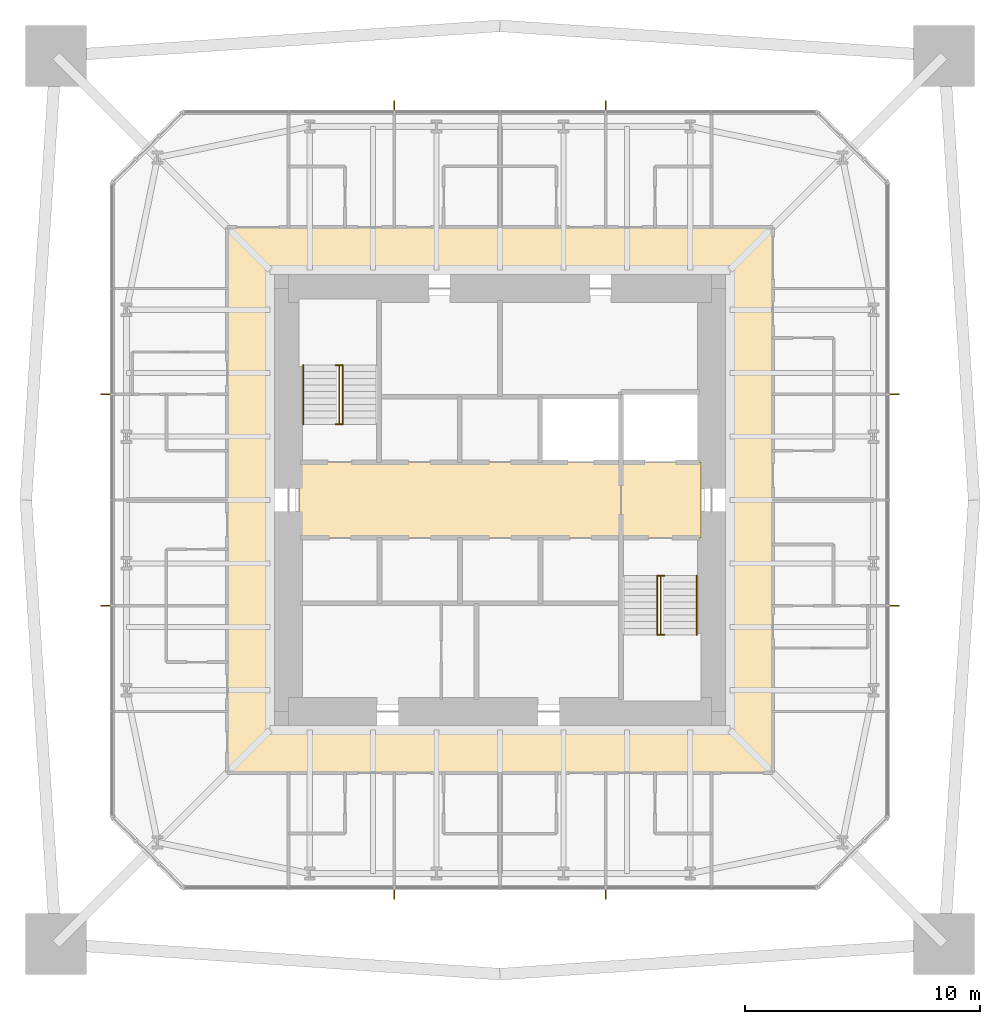
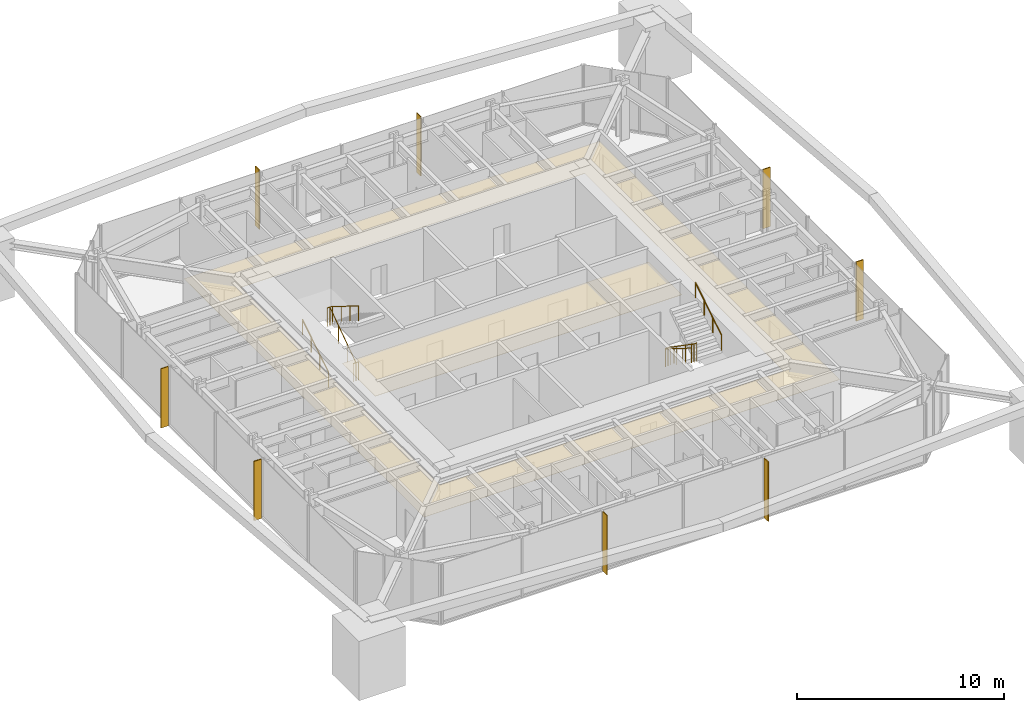
# One storey, part 11 of 11: 8 shading devices, 6 railings, 3 coverings.
"""IFC4 building model written with IfcOpenShell, lengths in metres."""

from ifc_helpers import new_model, si_unit, direction, frame, origin, origin_2d, place, context, subcontext, project, spatial, polyline, rectangle, circle, outline, extrude, material, layer, layer_set, constituent, constituent_set, type_object, element, save


model = new_model("IFC4")

# Units and contexts
model_context = context("Model", 3, precision=1e-05, world=origin(), true_north=direction((0.0, 1.0)))
body_context = subcontext(model_context, "Body", "Model", "MODEL_VIEW")
ifc_project = project(units=[si_unit("LENGTHUNIT", "METRE"), si_unit("AREAUNIT", "SQUARE_METRE"), si_unit("VOLUMEUNIT", "CUBIC_METRE"), si_unit("PLANEANGLEUNIT", "RADIAN"), si_unit("MASSUNIT", "GRAM", prefix="KILO")], contexts=[model_context])

# Site, building, storey
site_placement = place(None, origin())
site = spatial("IfcSite", under=ifc_project, at=site_placement, CompositionType="ELEMENT")
building_placement = place(site_placement, origin())
building = spatial("IfcBuilding", under=site, at=building_placement, Name="Iwan Alto Co-Living Towers", CompositionType="ELEMENT")
storey_placement = place(building_placement, frame((0.0, 0.0, 222.0)))
storey = spatial("IfcBuildingStorey", under=building, at=storey_placement, Name="L60", CompositionType="ELEMENT", Elevation=222.0)

# Coverings
ifc_material_1 = material(Name="Mineral fibre acoustic tiles on steel grid", Category="steel")
ifc_layer_1 = layer(ifc_material_1, 0.02001953125)
ifc_layer_set_1 = layer_set([ifc_layer_1], Name="ACOUSTIC TILE CEILING 20")
covering_type_1 = type_object("IfcCoveringType", Name="ACOUSTIC TILE CEILING 20", PredefinedType="CEILING", material=ifc_layer_set_1)
covering_1_placement = place(storey_placement, frame((0.0, 0.0, 2.60009765625)))
element("IfcCovering", 1, at=covering_1_placement, inside=storey, type_object=covering_type_1, Name="Ceiling Lift lobby L60", PredefinedType="CEILING", context=body_context, shape_type="SweptSolid", body=[
    extrude(outline(polyline([(-8.550048828125, -1.60009765625), (-8.550048828125, 1.60009765625), (5.14990234375, 1.60009765625), (5.14990234375, -1.60009765625), (-8.550048828125, -1.60009765625)])), origin(), (0.0, 0.0, 1.0), 0.02001953125),
])
covering_2_placement = place(storey_placement, frame((0.0, 0.0, 2.60009765625)))
element("IfcCovering", 2, at=covering_2_placement, inside=storey, type_object=covering_type_1, Name="Ceiling Firefighting lobby L60", PredefinedType="CEILING", context=body_context, shape_type="SweptSolid", body=[
    extrude(outline(polyline([(5.14990234375, -1.60009765625), (5.14990234375, 1.60009765625), (8.550048828125, 1.60009765625), (8.550048828125, -1.60009765625), (5.14990234375, -1.60009765625)])), origin(), (0.0, 0.0, 1.0), 0.02001953125),
])

# Shading devices
ifc_material_2 = material(Name="Aluminium 6063-T6 bronze anodised", Category="aluminium")
ifc_layer_2 = layer(ifc_material_2, 0.050048828125)
ifc_layer_set_2 = layer_set([ifc_layer_2], Name="BRONZE FIN 50X400")
shading_device_type = type_object("IfcShadingDeviceType", Name="BRONZE FIN 50X400", PredefinedType="USERDEFINED", material=ifc_layer_set_2)
for number, where, z_axis, x_axis, name in (
    (3, (-4.5, -16.800048828125, 0.0), (0.0, 0.0, 1.0), (1.0, 0.0, 0.0), "Bronze fin L60"),
    (4, (4.5, -16.800048828125, 0.0), (0.0, 0.0, 1.0), (1.0, 0.0, 0.0), "Bronze fin L60"),
    (5, (16.800048828125, -4.5, 0.0), (0.0, 0.0, 1.0), (0.0, 1.0, 0.0), "Bronze fin L60"),
    (6, (16.800048828125, 4.5, 0.0), (0.0, 0.0, 1.0), (0.0, 1.0, 0.0), "Bronze fin L60"),
    (7, (4.5, 16.800048828125, 0.0), (0.0, 0.0, 1.0), (-1.0, 0.0, 0.0), "Bronze fin L60"),
    (8, (-4.5, 16.800048828125, 0.0), (0.0, 0.0, 1.0), (-1.0, 0.0, 0.0), "Bronze fin L60"),
    (9, (-16.800048828125, 4.5, 0.0), (0.0, 0.0, 1.0), (0.0, -1.0, 0.0), "Bronze fin L60"),
    (10, (-16.800048828125, -4.5, 0.0), (0.0, 0.0, 1.0), (0.0, -1.0, 0.0), "Bronze fin L60"),
):
    element("IfcShadingDevice", number, at=place(storey_placement, frame(where, z_axis=z_axis, x_axis=x_axis)), inside=storey, type_object=shading_device_type, Name=name, ObjectType="LOUVER", PredefinedType="USERDEFINED", context=body_context, shape_type="SweptSolid", body=[
        extrude(rectangle(XDim=0.050048828125, YDim=0.39990234375, at=origin_2d()), origin(), (0.0, 0.0, 1.0), 3.5),
    ])

# Railings
ifc_material_3 = material(Name="Steel ASTM A500 Gr C", Category="steel")
ifc_constituent_1 = constituent(ifc_material_3, Name="Rails and posts", Category="Framing")
ifc_material_4 = material(Name="Steel ASTM A36", Category="steel")
ifc_constituent_2 = constituent(ifc_material_4, Name="Bar infill", Category="Infill")
ifc_constituent_set = constituent_set(constituents=[ifc_constituent_1, ifc_constituent_2], Name="STAIR GUARD 1100")
railing_type_1 = type_object("IfcRailingType", Name="STAIR GUARD 1100", PredefinedType="GUARDRAIL", material=ifc_constituent_set)
railing_1_placement = place(storey_placement, frame((-6.85009765625, 3.219970703125, 0.0)))
element("IfcRailing", 11, at=railing_1_placement, inside=storey, type_object=railing_type_1, Name="Stair T1-S1 well guard L60", PredefinedType="GUARDRAIL", context=body_context, shape_type="SweptSolid", body=[
    extrude(circle(Radius=0.02392578125, at=origin_2d()), frame((0.0, 0.0, 1.076171875), z_axis=(0.0, 0.821372036852, 0.570392826987), x_axis=(-1.0, 0.0, 0.0)), (0.0, 0.0, 1.0), 3.068115234375),
    extrude(circle(Radius=0.02392578125, at=origin_2d()), frame((-0.14990234375, 0.0, 1.076171875), z_axis=(1.0, 0.0, 0.0), x_axis=(0.0, 1.0, 0.0)), (0.0, 0.0, 1.0), 0.300048828125),
    extrude(circle(Radius=0.02392578125, at=origin_2d()), frame((-0.14990234375, 2.52001953125, 2.826171875), z_axis=(1.0, 0.0, 0.0), x_axis=(0.0, 1.0, 0.0)), (0.0, 0.0, 1.0), 0.300048828125),
    extrude(circle(Radius=0.02099609375, at=origin_2d()), origin(), (0.0, 0.0, 1.0), 1.052001953125),
    extrude(circle(Radius=0.02099609375, at=origin_2d()), frame((0.0, 0.840087890625, 0.583251953125)), (0.0, 0.0, 1.0), 1.052001953125),
    extrude(circle(Radius=0.02099609375, at=origin_2d()), frame((0.0, 1.679931640625, 1.166748046875)), (0.0, 0.0, 1.0), 1.052001953125),
    extrude(circle(Radius=0.02099609375, at=origin_2d()), frame((0.0, 2.52001953125, 1.75)), (0.0, 0.0, 1.0), 1.052001953125),
    extrude(circle(Radius=0.02099609375, at=origin_2d()), frame((-0.14990234375, 0.0, 0.0)), (0.0, 0.0, 1.0), 1.052001953125),
    extrude(circle(Radius=0.02099609375, at=origin_2d()), frame((0.150146484375, 0.0, 0.0)), (0.0, 0.0, 1.0), 1.052001953125),
    extrude(circle(Radius=0.02099609375, at=origin_2d()), frame((-0.14990234375, 2.52001953125, 1.75)), (0.0, 0.0, 1.0), 1.052001953125),
    extrude(circle(Radius=0.02099609375, at=origin_2d()), frame((0.150146484375, 2.52001953125, 1.75)), (0.0, 0.0, 1.0), 1.052001953125),
])
railing_2_placement = place(storey_placement, frame((6.85009765625, -3.219970703125, 0.0)))
element("IfcRailing", 12, at=railing_2_placement, inside=storey, type_object=railing_type_1, Name="Stair T1-S2 well guard L60", PredefinedType="GUARDRAIL", context=body_context, shape_type="SweptSolid", body=[
    extrude(circle(Radius=0.02392578125, at=origin_2d()), frame((0.0, 0.0, 1.076171875), z_axis=(0.0, -0.821372036852, 0.570392826987), x_axis=(1.0, 0.0, 0.0)), (0.0, 0.0, 1.0), 3.068115234375),
    extrude(circle(Radius=0.02392578125, at=origin_2d()), frame((-0.150146484375, 0.0, 1.076171875), z_axis=(1.0, 0.0, 0.0), x_axis=(0.0, 1.0, 0.0)), (0.0, 0.0, 1.0), 0.300048828125),
    extrude(circle(Radius=0.02392578125, at=origin_2d()), frame((-0.150146484375, -2.52001953125, 2.826171875), z_axis=(1.0, 0.0, 0.0), x_axis=(0.0, 1.0, 0.0)), (0.0, 0.0, 1.0), 0.300048828125),
    extrude(circle(Radius=0.02099609375, at=origin_2d()), origin(), (0.0, 0.0, 1.0), 1.052001953125),
    extrude(circle(Radius=0.02099609375, at=origin_2d()), frame((0.0, -0.840087890625, 0.583251953125)), (0.0, 0.0, 1.0), 1.052001953125),
    extrude(circle(Radius=0.02099609375, at=origin_2d()), frame((0.0, -1.679931640625, 1.166748046875)), (0.0, 0.0, 1.0), 1.052001953125),
    extrude(circle(Radius=0.02099609375, at=origin_2d()), frame((0.0, -2.52001953125, 1.75)), (0.0, 0.0, 1.0), 1.052001953125),
    extrude(circle(Radius=0.02099609375, at=origin_2d()), frame((-0.150146484375, 0.0, 0.0)), (0.0, 0.0, 1.0), 1.052001953125),
    extrude(circle(Radius=0.02099609375, at=origin_2d()), frame((0.14990234375, 0.0, 0.0)), (0.0, 0.0, 1.0), 1.052001953125),
    extrude(circle(Radius=0.02099609375, at=origin_2d()), frame((-0.150146484375, -2.52001953125, 1.75)), (0.0, 0.0, 1.0), 1.052001953125),
    extrude(circle(Radius=0.02099609375, at=origin_2d()), frame((0.14990234375, -2.52001953125, 1.75)), (0.0, 0.0, 1.0), 1.052001953125),
])
ifc_material_5 = material(Name="Steel ASTM A500 Gr C", Category="steel")
railing_type_2 = type_object("IfcRailingType", Name="STAIR HANDRAIL 900", PredefinedType="HANDRAIL", material=ifc_material_5)
railing_3_placement = place(storey_placement, frame((-8.3798828125, 3.219970703125, 0.175048828125)))
element("IfcRailing", 13, at=railing_3_placement, inside=storey, type_object=railing_type_2, Name="Stair T1-S1 handrail 1 L60", PredefinedType="HANDRAIL", context=body_context, shape_type="SweptSolid", body=[
    extrude(circle(Radius=0.02392578125, at=origin_2d()), frame((0.0, 0.0, 0.8759765625), z_axis=(0.0, 0.848007534815, 0.529984170421), x_axis=(-1.0, 0.0, 0.0)), (0.0, 0.0, 1.0), 2.9716796875),
    extrude(circle(Radius=0.02099609375, at=origin_2d()), origin(), (0.0, 0.0, 1.0), 0.851806640625),
    extrude(circle(Radius=0.02099609375, at=origin_2d()), frame((0.0, 0.840087890625, 0.52490234375)), (0.0, 0.0, 1.0), 0.851806640625),
    extrude(circle(Radius=0.02099609375, at=origin_2d()), frame((0.0, 1.679931640625, 1.050048828125)), (0.0, 0.0, 1.0), 0.851806640625),
    extrude(circle(Radius=0.02099609375, at=origin_2d()), frame((0.0, 2.52001953125, 1.574951171875)), (0.0, 0.0, 1.0), 0.851806640625),
])
for number, where, name in (
    (14, (-6.699951171875, 5.739990234375, 1.925048828125), "Stair T1-S1 handrail 2 L60"),
    (15, (6.699951171875, -3.219970703125, 0.175048828125), "Stair T1-S2 handrail 1 L60"),
):
    element("IfcRailing", number, at=place(storey_placement, frame(where)), inside=storey, type_object=railing_type_2, Name=name, PredefinedType="HANDRAIL", context=body_context, shape_type="SweptSolid", body=[
        extrude(circle(Radius=0.02392578125, at=origin_2d()), frame((0.0, 0.0, 0.8759765625), z_axis=(0.0, -0.848007534815, 0.529984170421), x_axis=(1.0, 0.0, 0.0)), (0.0, 0.0, 1.0), 2.9716796875),
        extrude(circle(Radius=0.02099609375, at=origin_2d()), origin(), (0.0, 0.0, 1.0), 0.851806640625),
        extrude(circle(Radius=0.02099609375, at=origin_2d()), frame((0.0, -0.840087890625, 0.52490234375)), (0.0, 0.0, 1.0), 0.851806640625),
        extrude(circle(Radius=0.02099609375, at=origin_2d()), frame((0.0, -1.679931640625, 1.050048828125)), (0.0, 0.0, 1.0), 0.851806640625),
        extrude(circle(Radius=0.02099609375, at=origin_2d()), frame((0.0, -2.52001953125, 1.574951171875)), (0.0, 0.0, 1.0), 0.851806640625),
    ])
railing_4_placement = place(storey_placement, frame((8.3798828125, -5.739990234375, 1.925048828125)))
element("IfcRailing", 16, at=railing_4_placement, inside=storey, type_object=railing_type_2, Name="Stair T1-S2 handrail 2 L60", PredefinedType="HANDRAIL", context=body_context, shape_type="SweptSolid", body=[
    extrude(circle(Radius=0.02392578125, at=origin_2d()), frame((0.0, 0.0, 0.8759765625), z_axis=(0.0, 0.848007534815, 0.529984170421), x_axis=(-1.0, 0.0, 0.0)), (0.0, 0.0, 1.0), 2.9716796875),
    extrude(circle(Radius=0.02099609375, at=origin_2d()), origin(), (0.0, 0.0, 1.0), 0.851806640625),
    extrude(circle(Radius=0.02099609375, at=origin_2d()), frame((0.0, 0.840087890625, 0.52490234375)), (0.0, 0.0, 1.0), 0.851806640625),
    extrude(circle(Radius=0.02099609375, at=origin_2d()), frame((0.0, 1.679931640625, 1.050048828125)), (0.0, 0.0, 1.0), 0.851806640625),
    extrude(circle(Radius=0.02099609375, at=origin_2d()), frame((0.0, 2.52001953125, 1.574951171875)), (0.0, 0.0, 1.0), 0.851806640625),
])

# Covering
ifc_material_6 = material(Name="Gypsum plasterboard on steel grid", Category="steel")
ifc_layer_3 = layer(ifc_material_6, 0.014892578125)
ifc_layer_set_3 = layer_set([ifc_layer_3], Name="SUSPENDED PLASTERBOARD CEILING 15")
covering_type_2 = type_object("IfcCoveringType", Name="SUSPENDED PLASTERBOARD CEILING 15", PredefinedType="CEILING", material=ifc_layer_set_3)
covering_3_placement = place(storey_placement, frame((0.0, 0.0, 2.60009765625)))
element("IfcCovering", 17, at=covering_3_placement, inside=storey, type_object=covering_type_2, Name="Ceiling Corridor L60", PredefinedType="CEILING", context=body_context, shape_type="SweptSolid", body=[
    extrude(outline(polyline([(-11.60009765625, 11.60009765625), (11.60009765625, 11.60009765625), (11.60009765625, -11.60009765625), (-11.60009765625, -11.60009765625), (-11.60009765625, 11.60009765625)]), holes=[polyline([(-9.60009765625, 9.60009765625), (-9.60009765625, -9.60009765625), (9.60009765625, -9.60009765625), (9.60009765625, 9.60009765625), (-9.60009765625, 9.60009765625)])]), origin(), (0.0, 0.0, 1.0), 0.014892578125),
])

save(model, "model.ifc")
